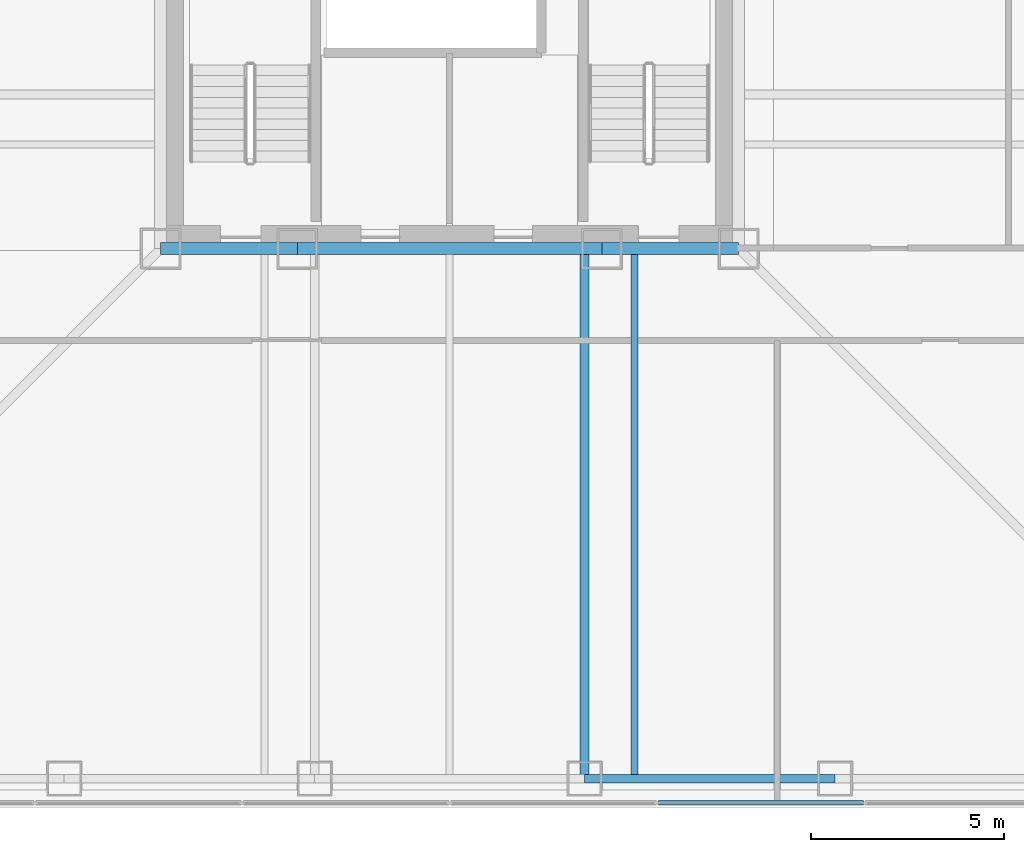
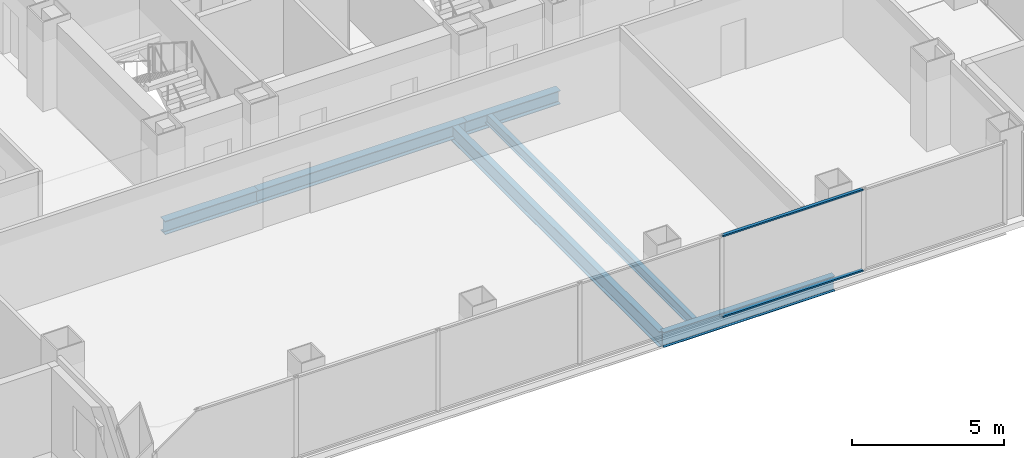
# One storey, part 3 of 14: 6 beams, 2 members, 1 element without a shape of its own.
"""IFC4 building model written with IfcOpenShell, lengths in metres."""

from ifc_helpers import new_model, si_unit, direction, frame, origin, origin_2d, place, context, subcontext, project, spatial, rectangle, i_section, extrude, material, layer, layer_set, material_profile, profile_set, type_object, element, aggregate, save


model = new_model("IFC4")

# Units and contexts
model_context = context("Model", 3, precision=1e-05, world=origin(), true_north=direction((0.0, 1.0)))
body_context = subcontext(model_context, "Body", "Model", "MODEL_VIEW")
ifc_project = project(units=[si_unit("LENGTHUNIT", "METRE"), si_unit("AREAUNIT", "SQUARE_METRE"), si_unit("VOLUMEUNIT", "CUBIC_METRE"), si_unit("PLANEANGLEUNIT", "RADIAN"), si_unit("MASSUNIT", "GRAM", prefix="KILO")], contexts=[model_context])

# Site, building, storey
site_placement = place(None, origin())
site = spatial("IfcSite", under=ifc_project, at=site_placement, CompositionType="ELEMENT")
building_placement = place(site_placement, origin())
building = spatial("IfcBuilding", under=site, at=building_placement, Name="Trevonay Congress Spire", CompositionType="ELEMENT")
storey_placement = place(building_placement, frame((0.0, 0.0, 140.800048828125)))
storey = spatial("IfcBuildingStorey", under=building, at=storey_placement, Name="L36", CompositionType="ELEMENT", Elevation=140.800048828125)

# Beams
ifc_material_1 = material(Name="Steel ASTM A572 Grade 50", Category="steel")
ifc_material_profile_1 = material_profile(ifc_material_1, i_section(OverallWidth=0.31201171875, OverallDepth=0.54296875, WebThickness=0.0126953125, FlangeThickness=0.020263671875, FilletRadius=0.014892578125, at=origin_2d()), Name="W530x150")
ifc_profile_set_1 = profile_set([ifc_material_profile_1], Name="Steel ASTM A572 Grade 50")
beam_type_1 = type_object("IfcBeamType", Name="BM-GIRD-W530X150", PredefinedType="BEAM", material=ifc_profile_set_1)
beam_1_placement = place(storey_placement, frame((-7.5, -7.5, -0.511474609375), z_axis=(1.0, 0.0, 0.0), x_axis=(0.0, 1.0, 0.0)))
element("IfcBeam", 1, at=beam_1_placement, inside=storey, type_object=beam_type_1, Name="L36 structural beam BM-L36-CR-S1", PredefinedType="BEAM", context=body_context, shape_type="SweptSolid", body=[
    extrude(i_section(OverallWidth=0.31201171875, OverallDepth=0.54296875, WebThickness=0.0126953125, FlangeThickness=0.020263671875, FilletRadius=0.014892578125, at=origin_2d()), origin(), (0.0, 0.0, 1.0), 3.550048828125),
])
beam_2_placement = place(storey_placement, frame((-3.949951171875, -7.5, -0.511474609375), z_axis=(1.0, 0.0, 0.0), x_axis=(0.0, 1.0, 0.0)))
element("IfcBeam", 2, at=beam_2_placement, inside=storey, type_object=beam_type_1, Name="L36 structural beam BM-L36-CR-S2", PredefinedType="BEAM", context=body_context, shape_type="SweptSolid", body=[
    extrude(i_section(OverallWidth=0.31201171875, OverallDepth=0.54296875, WebThickness=0.0126953125, FlangeThickness=0.020263671875, FilletRadius=0.014892578125, at=origin_2d()), origin(), (0.0, 0.0, 1.0), 7.89990234375),
])
beam_3_placement = place(storey_placement, frame((3.949951171875, -7.5, -0.511474609375), z_axis=(1.0, 0.0, 0.0), x_axis=(0.0, 1.0, 0.0)))
element("IfcBeam", 3, at=beam_3_placement, inside=storey, type_object=beam_type_1, Name="L36 structural beam BM-L36-CR-S3", PredefinedType="BEAM", context=body_context, shape_type="SweptSolid", body=[
    extrude(i_section(OverallWidth=0.31201171875, OverallDepth=0.54296875, WebThickness=0.0126953125, FlangeThickness=0.020263671875, FilletRadius=0.014892578125, at=origin_2d()), origin(), (0.0, 0.0, 1.0), 3.550048828125),
])
ifc_material_profile_2 = material_profile(ifc_material_1, i_section(OverallWidth=0.22998046875, OverallDepth=0.616943359375, WebThickness=0.01318359375, FlangeThickness=0.022216796875, FilletRadius=0.01611328125, at=origin_2d()), Name="W610x140")
ifc_profile_set_2 = profile_set([ifc_material_profile_2], Name="Steel ASTM A572 Grade 50")
beam_type_2 = type_object("IfcBeamType", Name="BM-GIRD-W610X140", PredefinedType="BEAM", material=ifc_profile_set_2)
beam_4_placement = place(storey_placement, frame((3.5, -7.5, -0.548583984375), z_axis=(0.0, -1.0, 0.0), x_axis=(1.0, 0.0, 0.0)))
element("IfcBeam", 4, at=beam_4_placement, inside=storey, type_object=beam_type_2, Name="L36 structural beam BM-L36-GS-P", PredefinedType="BEAM", context=body_context, shape_type="SweptSolid", body=[
    extrude(i_section(OverallWidth=0.22998046875, OverallDepth=0.616943359375, WebThickness=0.01318359375, FlangeThickness=0.022216796875, FilletRadius=0.01611328125, at=origin_2d()), origin(), (0.0, 0.0, 1.0), 13.75),
])
ifc_material_profile_3 = material_profile(ifc_material_1, i_section(OverallWidth=0.22802734375, OverallDepth=0.60791015625, WebThickness=0.01123046875, FlangeThickness=0.017333984375, FilletRadius=0.01611328125, at=origin_2d()), Name="W610x113")
ifc_profile_set_3 = profile_set([ifc_material_profile_3], Name="Steel ASTM A572 Grade 50")
beam_type_3 = type_object("IfcBeamType", Name="BM-RING-W610X113", PredefinedType="BEAM", material=ifc_profile_set_3)
beam_5_placement = place(storey_placement, frame((3.5, -21.25, -0.5439453125), z_axis=(1.0, 0.0, 0.0), x_axis=(0.0, 1.0, 0.0)))
element("IfcBeam", 5, at=beam_5_placement, inside=storey, type_object=beam_type_3, Name="L36 structural beam BM-L36-PS4", PredefinedType="BEAM", context=body_context, shape_type="SweptSolid", body=[
    extrude(i_section(OverallWidth=0.22802734375, OverallDepth=0.60791015625, WebThickness=0.01123046875, FlangeThickness=0.017333984375, FilletRadius=0.01611328125, at=origin_2d()), origin(), (0.0, 0.0, 1.0), 6.5),
])

# Curtain wall, members
ifc_material_2 = material(Name="Pale Anodised Aluminium EN AW-6063-T6", Category="aluminium")
ifc_layer = layer(ifc_material_2, 0.175048828125, Name="Pale Anodised Aluminium EN AW-6063-T6")
ifc_layer_set = layer_set([ifc_layer], Name="Pale Anodised Aluminium EN AW-6063-T6")
curtain_wall_type = type_object("IfcCurtainWallType", Name="CW-SYS03-CONGRESS-PALE-METAL", PredefinedType="NOTDEFINED", material=ifc_layer_set)
curtain_wall_placement = place(storey_placement, origin())
curtain_wall = element("IfcCurtainWall", 6, at=curtain_wall_placement, inside=storey, type_object=curtain_wall_type, Name="L36 S unitised curtain wall", PredefinedType="NOTDEFINED")
ifc_material_profile_4 = material_profile(ifc_material_2, rectangle(XDim=0.1201171875, YDim=0.06005859375, at=origin_2d()), Name="CW-TRANSOM-120-ALUMINIUM")
ifc_profile_set_4 = profile_set([ifc_material_profile_4], Name="Pale Anodised Aluminium EN AW-6063-T6")
member_type = type_object("IfcMemberType", Name="CW-TRANSOM-120-ALUMINIUM", PredefinedType="USERDEFINED", material=ifc_profile_set_4)
member_1_placement = place(storey_placement, frame((5.413330078125, -21.8798828125, 0.06005859375), z_axis=(1.0, 0.0, 0.0), x_axis=(0.0, 1.0, 0.0)))
member_1 = element("IfcMember", 7, at=member_1_placement, type_object=member_type, Name="CW03 transom 5.1", ObjectType="TRANSOM", PredefinedType="USERDEFINED", context=body_context, shape_type="SweptSolid", body=[
    extrude(rectangle(XDim=0.1201171875, YDim=0.06005859375, at=origin_2d()), origin(), (0.0, 0.0, 1.0), 5.3232421875),
])
member_2_placement = place(storey_placement, frame((5.413330078125, -21.8798828125, 3.300048828125), z_axis=(1.0, 0.0, 0.0), x_axis=(0.0, 1.0, 0.0)))
member_2 = element("IfcMember", 8, at=member_2_placement, type_object=member_type, Name="CW03 transom 5.2", ObjectType="TRANSOM", PredefinedType="USERDEFINED", context=body_context, shape_type="SweptSolid", body=[
    extrude(rectangle(XDim=0.1201171875, YDim=0.06005859375, at=origin_2d()), origin(), (0.0, 0.0, 1.0), 5.3232421875),
])
aggregate(curtain_wall, [member_1, member_2])

# Beam
ifc_material_profile_5 = material_profile(ifc_material_1, i_section(OverallWidth=0.177978515625, OverallDepth=0.406982421875, WebThickness=0.0078125, FlangeThickness=0.0126953125, FilletRadius=0.012939453125, at=origin_2d()), Name="W410x60")
ifc_profile_set_5 = profile_set([ifc_material_profile_5], Name="Steel ASTM A572 Grade 50")
beam_type_4 = type_object("IfcBeamType", Name="JS-COMP-W410X60", PredefinedType="JOIST", material=ifc_profile_set_5)
beam_6_placement = place(storey_placement, frame((4.800048828125, -21.25, -0.443603515625), z_axis=(0.0, 1.0, 0.0), x_axis=(-1.0, 0.0, 0.0)))
element("IfcBeam", 9, at=beam_6_placement, inside=storey, type_object=beam_type_4, Name="L36 structural beam JS-L36-NS-S3", PredefinedType="JOIST", context=body_context, shape_type="SweptSolid", body=[
    extrude(i_section(OverallWidth=0.177978515625, OverallDepth=0.406982421875, WebThickness=0.0078125, FlangeThickness=0.0126953125, FilletRadius=0.012939453125, at=origin_2d()), origin(), (0.0, 0.0, 1.0), 13.75),
])

save(model, "model.ifc")
